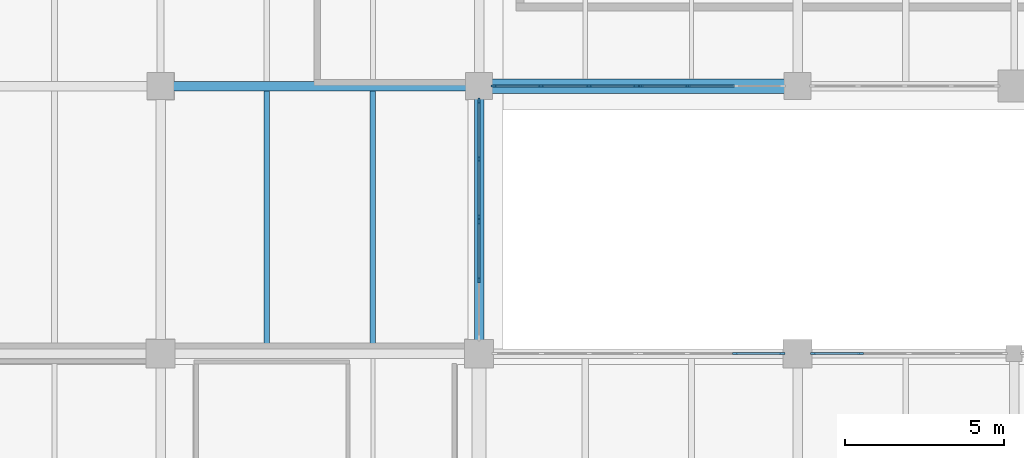
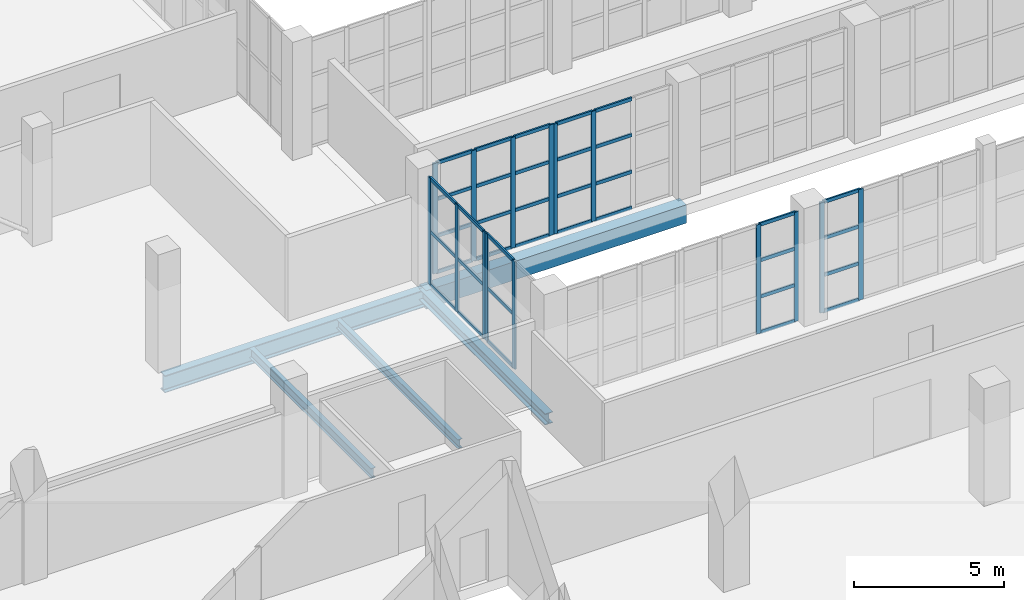
# One storey, part 44 of 121: 52 members, 5 beams, 6 elements without a shape of their own.
"""IFC4 building model written with IfcOpenShell, lengths in metres."""

from ifc_helpers import new_model, si_unit, direction, frame, origin, origin_2d, place, context, subcontext, project, spatial, rectangle, i_section, extrude, material, layer, layer_set, material_profile, profile_set, type_object, element, aggregate, save


model = new_model("IFC4")

# Units and contexts
model_context = context("Model", 3, precision=1e-05, world=origin(), true_north=direction((0.0, 1.0)))
body_context = subcontext(model_context, "Body", "Model", "MODEL_VIEW")
ifc_project = project(units=[si_unit("LENGTHUNIT", "METRE"), si_unit("AREAUNIT", "SQUARE_METRE"), si_unit("VOLUMEUNIT", "CUBIC_METRE"), si_unit("PLANEANGLEUNIT", "RADIAN"), si_unit("MASSUNIT", "GRAM", prefix="KILO")], contexts=[model_context])

# Site, building, storey
site_placement = place(None, origin())
site = spatial("IfcSite", under=ifc_project, at=site_placement, CompositionType="ELEMENT")
building_placement = place(site_placement, origin())
building = spatial("IfcBuilding", under=site, at=building_placement, Name="Zereglee Splitstone Museum", CompositionType="ELEMENT")
storey_placement = place(building_placement, origin())
storey = spatial("IfcBuildingStorey", under=building, at=storey_placement, Name="L00", CompositionType="ELEMENT", Elevation=0.0)

# Curtain wall, members
ifc_material_1 = material(Name="Triple-glazed low-E argon glass and bronze-anodised aluminium", Category="aluminium")
ifc_layer_1 = layer(ifc_material_1, 0.179931640625)
ifc_layer_set_1 = layer_set([ifc_layer_1], Name="Triple-glazed low-E argon glass and bronze-anodised aluminium")
curtain_wall_type_1 = type_object("IfcCurtainWallType", Name="CW-0608-450", PredefinedType="USERDEFINED", material=ifc_layer_set_1)
curtain_wall_1_placement = place(storey_placement, origin())
curtain_wall_1 = element("IfcCurtainWall", 1, at=curtain_wall_1_placement, inside=storey, type_object=curtain_wall_type_1, Name="Glazed Curtain Wall CW-0608-450 (L00)", ObjectType="GLAZED CURTAIN WALL", PredefinedType="USERDEFINED")
ifc_material_2 = material(Name="Thermally broken bronze-anodised aluminium", Category="aluminium")
ifc_material_profile_1 = material_profile(ifc_material_2, rectangle(XDim=0.06494140625, YDim=0.179931640625, at=origin_2d()), Name="CW MULL 65x180")
ifc_profile_set_1 = profile_set([ifc_material_profile_1], Name="Thermally broken bronze-anodised aluminium")
member_type_1 = type_object("IfcMemberType", Name="CWM-01", PredefinedType="MULLION", material=ifc_profile_set_1)
member_1_placement = place(storey_placement, frame((217.178955078125, 21.60009765625, 0.0), z_axis=(0.0, 0.0, 1.0), x_axis=(0.0, -1.0, 0.0)))
member_1 = element("IfcMember", 2, at=member_1_placement, type_object=member_type_1, Name="CW-0608-450 mullion 4", PredefinedType="MULLION", context=body_context, shape_type="SweptSolid", body=[
    extrude(rectangle(XDim=0.06494140625, YDim=0.179931640625, at=origin_2d()), origin(), (0.0, 0.0, 1.0), 4.5),
])
member_2_placement = place(storey_placement, frame((215.6904296875, 21.60009765625, 0.0), z_axis=(0.0, 0.0, 1.0), x_axis=(0.0, -1.0, 0.0)))
member_2 = element("IfcMember", 3, at=member_2_placement, type_object=member_type_1, Name="CW-0608-450 mullion 5", PredefinedType="MULLION", context=body_context, shape_type="SweptSolid", body=[
    extrude(rectangle(XDim=0.06494140625, YDim=0.179931640625, at=origin_2d()), origin(), (0.0, 0.0, 1.0), 4.5),
])

ifc_layer_2 = layer(ifc_material_1, 0.179931640625)
ifc_layer_set_2 = layer_set([ifc_layer_2], Name="Triple-glazed low-E argon glass and bronze-anodised aluminium")
curtain_wall_type_2 = type_object("IfcCurtainWallType", Name="CW-0450-444", PredefinedType="USERDEFINED", material=ifc_layer_set_2)
curtain_wall_2_placement = place(storey_placement, origin())
curtain_wall_2 = element("IfcCurtainWall", 4, at=curtain_wall_2_placement, inside=storey, type_object=curtain_wall_type_2, Name="Glazed Curtain Wall CW-0450-444 (L00)", ObjectType="GLAZED CURTAIN WALL", PredefinedType="USERDEFINED")
member_3_placement = place(storey_placement, frame((214.70947265625, 21.60009765625, 0.0), z_axis=(0.0, 0.0, 1.0), x_axis=(0.0, -1.0, 0.0)))
member_3 = element("IfcMember", 5, at=member_3_placement, type_object=member_type_1, Name="CW-0450-444 mullion 1", PredefinedType="MULLION", context=body_context, shape_type="SweptSolid", body=[
    extrude(rectangle(XDim=0.06494140625, YDim=0.179931640625, at=origin_2d()), origin(), (0.0, 0.0, 1.0), 4.43994140625),
])
member_4_placement = place(storey_placement, frame((213.241455078125, 21.60009765625, 0.0), z_axis=(0.0, 0.0, 1.0), x_axis=(0.0, -1.0, 0.0)))
member_4 = element("IfcMember", 6, at=member_4_placement, type_object=member_type_1, Name="CW-0450-444 mullion 2", PredefinedType="MULLION", context=body_context, shape_type="SweptSolid", body=[
    extrude(rectangle(XDim=0.06494140625, YDim=0.179931640625, at=origin_2d()), origin(), (0.0, 0.0, 1.0), 4.43994140625),
])

ifc_layer_3 = layer(ifc_material_1, 0.179931640625)
ifc_layer_set_3 = layer_set([ifc_layer_3], Name="Triple-glazed low-E argon glass and bronze-anodised aluminium")
curtain_wall_type_3 = type_object("IfcCurtainWallType", Name="CW-0371-438", PredefinedType="USERDEFINED", material=ifc_layer_set_3)
curtain_wall_3_placement = place(storey_placement, origin())
curtain_wall_3 = element("IfcCurtainWall", 7, at=curtain_wall_3_placement, inside=storey, type_object=curtain_wall_type_3, Name="Glazed Curtain Wall CW-0371-438 (L00)", ObjectType="GLAZED CURTAIN WALL", PredefinedType="USERDEFINED")
member_5_placement = place(storey_placement, frame((205.199951171875, 23.915283203125, 0.0), z_axis=(0.0, 0.0, 1.0), x_axis=(-1.0, 0.0, 0.0)))
member_5 = element("IfcMember", 8, at=member_5_placement, type_object=member_type_1, Name="CW-0371-438 mullion 2", PredefinedType="MULLION", context=body_context, shape_type="SweptSolid", body=[
    extrude(rectangle(XDim=0.06494140625, YDim=0.179931640625, at=origin_2d()), origin(), (0.0, 0.0, 1.0), 4.3798828125),
])
member_6_placement = place(storey_placement, frame((205.199951171875, 25.739990234375, 0.0), z_axis=(0.0, 0.0, 1.0), x_axis=(-1.0, 0.0, 0.0)))
member_6 = element("IfcMember", 9, at=member_6_placement, type_object=member_type_1, Name="CW-0371-438 mullion 3", PredefinedType="MULLION", context=body_context, shape_type="SweptSolid", body=[
    extrude(rectangle(XDim=0.06494140625, YDim=0.179931640625, at=origin_2d()), origin(), (0.0, 0.0, 1.0), 4.3798828125),
])

ifc_layer_4 = layer(ifc_material_1, 0.179931640625)
ifc_layer_set_4 = layer_set([ifc_layer_4], Name="Triple-glazed low-E argon glass and bronze-anodised aluminium")
curtain_wall_type_4 = type_object("IfcCurtainWallType", Name="CW-0371-436", PredefinedType="USERDEFINED", material=ifc_layer_set_4)
curtain_wall_4_placement = place(storey_placement, origin())
curtain_wall_4 = element("IfcCurtainWall", 10, at=curtain_wall_4_placement, inside=storey, type_object=curtain_wall_type_4, Name="Glazed Curtain Wall CW-0371-436 (L00)", ObjectType="GLAZED CURTAIN WALL", PredefinedType="USERDEFINED")
member_7_placement = place(storey_placement, frame((205.199951171875, 25.885009765625, 0.0), z_axis=(0.0, 0.0, 1.0), x_axis=(-1.0, 0.0, 0.0)))
member_7 = element("IfcMember", 11, at=member_7_placement, type_object=member_type_1, Name="CW-0371-436 mullion 1", PredefinedType="MULLION", context=body_context, shape_type="SweptSolid", body=[
    extrude(rectangle(XDim=0.06494140625, YDim=0.179931640625, at=origin_2d()), origin(), (0.0, 0.0, 1.0), 4.360107421875),
])
member_8_placement = place(storey_placement, frame((205.199951171875, 27.709716796875, 0.0), z_axis=(0.0, 0.0, 1.0), x_axis=(-1.0, 0.0, 0.0)))
member_8 = element("IfcMember", 12, at=member_8_placement, type_object=member_type_1, Name="CW-0371-436 mullion 2", PredefinedType="MULLION", context=body_context, shape_type="SweptSolid", body=[
    extrude(rectangle(XDim=0.06494140625, YDim=0.179931640625, at=origin_2d()), origin(), (0.0, 0.0, 1.0), 4.360107421875),
])
member_9_placement = place(storey_placement, frame((205.199951171875, 29.534423828125, 0.0), z_axis=(0.0, 0.0, 1.0), x_axis=(-1.0, 0.0, 0.0)))
member_9 = element("IfcMember", 13, at=member_9_placement, type_object=member_type_1, Name="CW-0371-436 mullion 3", PredefinedType="MULLION", context=body_context, shape_type="SweptSolid", body=[
    extrude(rectangle(XDim=0.06494140625, YDim=0.179931640625, at=origin_2d()), origin(), (0.0, 0.0, 1.0), 4.360107421875),
])

ifc_layer_5 = layer(ifc_material_1, 0.179931640625)
ifc_layer_set_5 = layer_set([ifc_layer_5], Name="Triple-glazed low-E argon glass and bronze-anodised aluminium")
curtain_wall_type_5 = type_object("IfcCurtainWallType", Name="CW-0453-450", PredefinedType="USERDEFINED", material=ifc_layer_set_5)
curtain_wall_5_placement = place(storey_placement, origin())
curtain_wall_5 = element("IfcCurtainWall", 14, at=curtain_wall_5_placement, inside=storey, type_object=curtain_wall_type_5, Name="Glazed Curtain Wall CW-0453-450 (L00)", ObjectType="GLAZED CURTAIN WALL", PredefinedType="USERDEFINED")
member_10_placement = place(storey_placement, frame((205.66552734375, 30.0, 0.0), z_axis=(0.0, 0.0, 1.0), x_axis=(0.0, 1.0, 0.0)))
member_10 = element("IfcMember", 15, at=member_10_placement, type_object=member_type_1, Name="CW-0453-450 mullion 1", PredefinedType="MULLION", context=body_context, shape_type="SweptSolid", body=[
    extrude(rectangle(XDim=0.06494140625, YDim=0.179931640625, at=origin_2d()), origin(), (0.0, 0.0, 1.0), 4.5),
])
member_11_placement = place(storey_placement, frame((207.14208984375, 30.0, 0.0), z_axis=(0.0, 0.0, 1.0), x_axis=(0.0, 1.0, 0.0)))
member_11 = element("IfcMember", 16, at=member_11_placement, type_object=member_type_1, Name="CW-0453-450 mullion 2", PredefinedType="MULLION", context=body_context, shape_type="SweptSolid", body=[
    extrude(rectangle(XDim=0.06494140625, YDim=0.179931640625, at=origin_2d()), origin(), (0.0, 0.0, 1.0), 4.5),
])
member_12_placement = place(storey_placement, frame((208.65087890625, 30.0, 0.0), z_axis=(0.0, 0.0, 1.0), x_axis=(0.0, 1.0, 0.0)))
member_12 = element("IfcMember", 17, at=member_12_placement, type_object=member_type_1, Name="CW-0453-450 mullion 3", PredefinedType="MULLION", context=body_context, shape_type="SweptSolid", body=[
    extrude(rectangle(XDim=0.06494140625, YDim=0.179931640625, at=origin_2d()), origin(), (0.0, 0.0, 1.0), 4.5),
])
member_13_placement = place(storey_placement, frame((210.12744140625, 30.0, 0.0), z_axis=(0.0, 0.0, 1.0), x_axis=(0.0, 1.0, 0.0)))
member_13 = element("IfcMember", 18, at=member_13_placement, type_object=member_type_1, Name="CW-0453-450 mullion 4", PredefinedType="MULLION", context=body_context, shape_type="SweptSolid", body=[
    extrude(rectangle(XDim=0.06494140625, YDim=0.179931640625, at=origin_2d()), origin(), (0.0, 0.0, 1.0), 4.5),
])

ifc_layer_6 = layer(ifc_material_1, 0.179931640625)
ifc_layer_set_6 = layer_set([ifc_layer_6], Name="Triple-glazed low-E argon glass and bronze-anodised aluminium")
curtain_wall_type_6 = type_object("IfcCurtainWallType", Name="CW-0453-448", PredefinedType="USERDEFINED", material=ifc_layer_set_6)
curtain_wall_6_placement = place(storey_placement, origin())
curtain_wall_6 = element("IfcCurtainWall", 19, at=curtain_wall_6_placement, inside=storey, type_object=curtain_wall_type_6, Name="Glazed Curtain Wall CW-0453-448 (L00)", ObjectType="GLAZED CURTAIN WALL", PredefinedType="USERDEFINED")
member_14_placement = place(storey_placement, frame((210.2724609375, 30.0, 0.0), z_axis=(0.0, 0.0, 1.0), x_axis=(0.0, 1.0, 0.0)))
member_14 = element("IfcMember", 20, at=member_14_placement, type_object=member_type_1, Name="CW-0453-448 mullion 1", PredefinedType="MULLION", context=body_context, shape_type="SweptSolid", body=[
    extrude(rectangle(XDim=0.06494140625, YDim=0.179931640625, at=origin_2d()), origin(), (0.0, 0.0, 1.0), 4.47998046875),
])
member_15_placement = place(storey_placement, frame((211.7490234375, 30.0, 0.0), z_axis=(0.0, 0.0, 1.0), x_axis=(0.0, 1.0, 0.0)))
member_15 = element("IfcMember", 21, at=member_15_placement, type_object=member_type_1, Name="CW-0453-448 mullion 2", PredefinedType="MULLION", context=body_context, shape_type="SweptSolid", body=[
    extrude(rectangle(XDim=0.06494140625, YDim=0.179931640625, at=origin_2d()), origin(), (0.0, 0.0, 1.0), 4.47998046875),
])

# Member
ifc_material_profile_2 = material_profile(ifc_material_2, rectangle(XDim=0.06494140625, YDim=0.139892578125, at=origin_2d()), Name="CW TRAN 65x140")
ifc_profile_set_2 = profile_set([ifc_material_profile_2], Name="Thermally broken bronze-anodised aluminium")
member_type_2 = type_object("IfcMemberType", Name="CWT-01", PredefinedType="USERDEFINED", material=ifc_profile_set_2)
member_16_placement = place(storey_placement, frame((217.146484375, 21.60009765625, 0.032470703125), z_axis=(-1.0, 0.0, 0.0), x_axis=(0.0, -1.0, 0.0)))
member_16 = element("IfcMember", 22, at=member_16_placement, type_object=member_type_2, Name="CW-0608-450 transom 4.1", ObjectType="TRANSOM", PredefinedType="USERDEFINED", context=body_context, shape_type="SweptSolid", body=[
    extrude(rectangle(XDim=0.06494140625, YDim=0.139892578125, at=origin_2d()), origin(), (0.0, 0.0, 1.0), 1.423583984375),
])

member_17_placement = place(storey_placement, frame((217.146484375, 21.60009765625, 1.5), z_axis=(-1.0, 0.0, 0.0), x_axis=(0.0, -1.0, 0.0)))
member_17 = element("IfcMember", 23, at=member_17_placement, type_object=member_type_2, Name="CW-0608-450 transom 4.2", ObjectType="TRANSOM", PredefinedType="USERDEFINED", context=body_context, shape_type="SweptSolid", body=[
    extrude(rectangle(XDim=0.06494140625, YDim=0.139892578125, at=origin_2d()), origin(), (0.0, 0.0, 1.0), 1.423583984375),
])

member_18_placement = place(storey_placement, frame((217.146484375, 21.60009765625, 3.0), z_axis=(-1.0, 0.0, 0.0), x_axis=(0.0, -1.0, 0.0)))
member_18 = element("IfcMember", 24, at=member_18_placement, type_object=member_type_2, Name="CW-0608-450 transom 4.3", ObjectType="TRANSOM", PredefinedType="USERDEFINED", context=body_context, shape_type="SweptSolid", body=[
    extrude(rectangle(XDim=0.06494140625, YDim=0.139892578125, at=origin_2d()), origin(), (0.0, 0.0, 1.0), 1.423583984375),
])

member_19_placement = place(storey_placement, frame((217.146484375, 21.60009765625, 4.467529296875), z_axis=(-1.0, 0.0, 0.0), x_axis=(0.0, -1.0, 0.0)))
member_19 = element("IfcMember", 25, at=member_19_placement, type_object=member_type_2, Name="CW-0608-450 transom 4.4", ObjectType="TRANSOM", PredefinedType="USERDEFINED", context=body_context, shape_type="SweptSolid", body=[
    extrude(rectangle(XDim=0.06494140625, YDim=0.139892578125, at=origin_2d()), origin(), (0.0, 0.0, 1.0), 1.423583984375),
])

aggregate(curtain_wall_1, [member_1, member_2, member_16, member_17, member_18, member_19])

member_20_placement = place(storey_placement, frame((214.677001953125, 21.60009765625, 0.032470703125), z_axis=(-1.0, 0.0, 0.0), x_axis=(0.0, -1.0, 0.0)))
member_20 = element("IfcMember", 26, at=member_20_placement, type_object=member_type_2, Name="CW-0450-444 transom 1.1", ObjectType="TRANSOM", PredefinedType="USERDEFINED", context=body_context, shape_type="SweptSolid", body=[
    extrude(rectangle(XDim=0.06494140625, YDim=0.139892578125, at=origin_2d()), origin(), (0.0, 0.0, 1.0), 1.403076171875),
])

member_21_placement = place(storey_placement, frame((214.677001953125, 21.60009765625, 1.47998046875), z_axis=(-1.0, 0.0, 0.0), x_axis=(0.0, -1.0, 0.0)))
member_21 = element("IfcMember", 27, at=member_21_placement, type_object=member_type_2, Name="CW-0450-444 transom 1.2", ObjectType="TRANSOM", PredefinedType="USERDEFINED", context=body_context, shape_type="SweptSolid", body=[
    extrude(rectangle(XDim=0.06494140625, YDim=0.139892578125, at=origin_2d()), origin(), (0.0, 0.0, 1.0), 1.403076171875),
])

member_22_placement = place(storey_placement, frame((214.677001953125, 21.60009765625, 2.9599609375), z_axis=(-1.0, 0.0, 0.0), x_axis=(0.0, -1.0, 0.0)))
member_22 = element("IfcMember", 28, at=member_22_placement, type_object=member_type_2, Name="CW-0450-444 transom 1.3", ObjectType="TRANSOM", PredefinedType="USERDEFINED", context=body_context, shape_type="SweptSolid", body=[
    extrude(rectangle(XDim=0.06494140625, YDim=0.139892578125, at=origin_2d()), origin(), (0.0, 0.0, 1.0), 1.403076171875),
])

member_23_placement = place(storey_placement, frame((214.677001953125, 21.60009765625, 4.407470703125), z_axis=(-1.0, 0.0, 0.0), x_axis=(0.0, -1.0, 0.0)))
member_23 = element("IfcMember", 29, at=member_23_placement, type_object=member_type_2, Name="CW-0450-444 transom 1.4", ObjectType="TRANSOM", PredefinedType="USERDEFINED", context=body_context, shape_type="SweptSolid", body=[
    extrude(rectangle(XDim=0.06494140625, YDim=0.139892578125, at=origin_2d()), origin(), (0.0, 0.0, 1.0), 1.403076171875),
])

aggregate(curtain_wall_2, [member_3, member_4, member_20, member_21, member_22, member_23])

member_24_placement = place(storey_placement, frame((205.199951171875, 23.94775390625, 0.032470703125), z_axis=(0.0, 1.0, 0.0), x_axis=(-1.0, 0.0, 0.0)))
member_24 = element("IfcMember", 30, at=member_24_placement, type_object=member_type_2, Name="CW-0371-438 transom 2.1", ObjectType="TRANSOM", PredefinedType="USERDEFINED", context=body_context, shape_type="SweptSolid", body=[
    extrude(rectangle(XDim=0.06494140625, YDim=0.139892578125, at=origin_2d()), origin(), (0.0, 0.0, 1.0), 1.759765625),
])

member_25_placement = place(storey_placement, frame((205.199951171875, 23.94775390625, 2.18994140625), z_axis=(0.0, 1.0, 0.0), x_axis=(-1.0, 0.0, 0.0)))
member_25 = element("IfcMember", 31, at=member_25_placement, type_object=member_type_2, Name="CW-0371-438 transom 2.2", ObjectType="TRANSOM", PredefinedType="USERDEFINED", context=body_context, shape_type="SweptSolid", body=[
    extrude(rectangle(XDim=0.06494140625, YDim=0.139892578125, at=origin_2d()), origin(), (0.0, 0.0, 1.0), 1.759765625),
])

member_26_placement = place(storey_placement, frame((205.199951171875, 23.94775390625, 4.347412109375), z_axis=(0.0, 1.0, 0.0), x_axis=(-1.0, 0.0, 0.0)))
member_26 = element("IfcMember", 32, at=member_26_placement, type_object=member_type_2, Name="CW-0371-438 transom 2.3", ObjectType="TRANSOM", PredefinedType="USERDEFINED", context=body_context, shape_type="SweptSolid", body=[
    extrude(rectangle(XDim=0.06494140625, YDim=0.139892578125, at=origin_2d()), origin(), (0.0, 0.0, 1.0), 1.759765625),
])

aggregate(curtain_wall_3, [member_5, member_6, member_24, member_25, member_26])

member_27_placement = place(storey_placement, frame((205.199951171875, 25.91748046875, 0.032470703125), z_axis=(0.0, 1.0, 0.0), x_axis=(-1.0, 0.0, 0.0)))
member_27 = element("IfcMember", 33, at=member_27_placement, type_object=member_type_2, Name="CW-0371-436 transom 1.1", ObjectType="TRANSOM", PredefinedType="USERDEFINED", context=body_context, shape_type="SweptSolid", body=[
    extrude(rectangle(XDim=0.06494140625, YDim=0.139892578125, at=origin_2d()), origin(), (0.0, 0.0, 1.0), 1.759765625),
])

member_28_placement = place(storey_placement, frame((205.199951171875, 25.91748046875, 2.179931640625), z_axis=(0.0, 1.0, 0.0), x_axis=(-1.0, 0.0, 0.0)))
member_28 = element("IfcMember", 34, at=member_28_placement, type_object=member_type_2, Name="CW-0371-436 transom 1.2", ObjectType="TRANSOM", PredefinedType="USERDEFINED", context=body_context, shape_type="SweptSolid", body=[
    extrude(rectangle(XDim=0.06494140625, YDim=0.139892578125, at=origin_2d()), origin(), (0.0, 0.0, 1.0), 1.759765625),
])

member_29_placement = place(storey_placement, frame((205.199951171875, 25.91748046875, 4.327392578125), z_axis=(0.0, 1.0, 0.0), x_axis=(-1.0, 0.0, 0.0)))
member_29 = element("IfcMember", 35, at=member_29_placement, type_object=member_type_2, Name="CW-0371-436 transom 1.3", ObjectType="TRANSOM", PredefinedType="USERDEFINED", context=body_context, shape_type="SweptSolid", body=[
    extrude(rectangle(XDim=0.06494140625, YDim=0.139892578125, at=origin_2d()), origin(), (0.0, 0.0, 1.0), 1.759765625),
])

member_30_placement = place(storey_placement, frame((205.199951171875, 27.7421875, 0.032470703125), z_axis=(0.0, 1.0, 0.0), x_axis=(-1.0, 0.0, 0.0)))
member_30 = element("IfcMember", 36, at=member_30_placement, type_object=member_type_2, Name="CW-0371-436 transom 2.1", ObjectType="TRANSOM", PredefinedType="USERDEFINED", context=body_context, shape_type="SweptSolid", body=[
    extrude(rectangle(XDim=0.06494140625, YDim=0.139892578125, at=origin_2d()), origin(), (0.0, 0.0, 1.0), 1.759765625),
])

member_31_placement = place(storey_placement, frame((205.199951171875, 27.7421875, 2.179931640625), z_axis=(0.0, 1.0, 0.0), x_axis=(-1.0, 0.0, 0.0)))
member_31 = element("IfcMember", 37, at=member_31_placement, type_object=member_type_2, Name="CW-0371-436 transom 2.2", ObjectType="TRANSOM", PredefinedType="USERDEFINED", context=body_context, shape_type="SweptSolid", body=[
    extrude(rectangle(XDim=0.06494140625, YDim=0.139892578125, at=origin_2d()), origin(), (0.0, 0.0, 1.0), 1.759765625),
])

member_32_placement = place(storey_placement, frame((205.199951171875, 27.7421875, 4.327392578125), z_axis=(0.0, 1.0, 0.0), x_axis=(-1.0, 0.0, 0.0)))
member_32 = element("IfcMember", 38, at=member_32_placement, type_object=member_type_2, Name="CW-0371-436 transom 2.3", ObjectType="TRANSOM", PredefinedType="USERDEFINED", context=body_context, shape_type="SweptSolid", body=[
    extrude(rectangle(XDim=0.06494140625, YDim=0.139892578125, at=origin_2d()), origin(), (0.0, 0.0, 1.0), 1.759765625),
])

aggregate(curtain_wall_4, [member_7, member_8, member_9, member_27, member_28, member_29, member_30, member_31, member_32])

member_33_placement = place(storey_placement, frame((205.697998046875, 30.0, 0.032470703125), z_axis=(1.0, 0.0, 0.0), x_axis=(0.0, 1.0, 0.0)))
member_33 = element("IfcMember", 39, at=member_33_placement, type_object=member_type_2, Name="CW-0453-450 transom 1.1", ObjectType="TRANSOM", PredefinedType="USERDEFINED", context=body_context, shape_type="SweptSolid", body=[
    extrude(rectangle(XDim=0.06494140625, YDim=0.139892578125, at=origin_2d()), origin(), (0.0, 0.0, 1.0), 1.41162109375),
])

member_34_placement = place(storey_placement, frame((205.697998046875, 30.0, 1.5), z_axis=(1.0, 0.0, 0.0), x_axis=(0.0, 1.0, 0.0)))
member_34 = element("IfcMember", 40, at=member_34_placement, type_object=member_type_2, Name="CW-0453-450 transom 1.2", ObjectType="TRANSOM", PredefinedType="USERDEFINED", context=body_context, shape_type="SweptSolid", body=[
    extrude(rectangle(XDim=0.06494140625, YDim=0.139892578125, at=origin_2d()), origin(), (0.0, 0.0, 1.0), 1.41162109375),
])

member_35_placement = place(storey_placement, frame((205.697998046875, 30.0, 3.0), z_axis=(1.0, 0.0, 0.0), x_axis=(0.0, 1.0, 0.0)))
member_35 = element("IfcMember", 41, at=member_35_placement, type_object=member_type_2, Name="CW-0453-450 transom 1.3", ObjectType="TRANSOM", PredefinedType="USERDEFINED", context=body_context, shape_type="SweptSolid", body=[
    extrude(rectangle(XDim=0.06494140625, YDim=0.139892578125, at=origin_2d()), origin(), (0.0, 0.0, 1.0), 1.41162109375),
])

member_36_placement = place(storey_placement, frame((205.697998046875, 30.0, 4.467529296875), z_axis=(1.0, 0.0, 0.0), x_axis=(0.0, 1.0, 0.0)))
member_36 = element("IfcMember", 42, at=member_36_placement, type_object=member_type_2, Name="CW-0453-450 transom 1.4", ObjectType="TRANSOM", PredefinedType="USERDEFINED", context=body_context, shape_type="SweptSolid", body=[
    extrude(rectangle(XDim=0.06494140625, YDim=0.139892578125, at=origin_2d()), origin(), (0.0, 0.0, 1.0), 1.41162109375),
])

member_37_placement = place(storey_placement, frame((207.174560546875, 30.0, 0.032470703125), z_axis=(1.0, 0.0, 0.0), x_axis=(0.0, 1.0, 0.0)))
member_37 = element("IfcMember", 43, at=member_37_placement, type_object=member_type_2, Name="CW-0453-450 transom 2.1", ObjectType="TRANSOM", PredefinedType="USERDEFINED", context=body_context, shape_type="SweptSolid", body=[
    extrude(rectangle(XDim=0.06494140625, YDim=0.139892578125, at=origin_2d()), origin(), (0.0, 0.0, 1.0), 1.44384765625),
])

member_38_placement = place(storey_placement, frame((207.174560546875, 30.0, 1.5), z_axis=(1.0, 0.0, 0.0), x_axis=(0.0, 1.0, 0.0)))
member_38 = element("IfcMember", 44, at=member_38_placement, type_object=member_type_2, Name="CW-0453-450 transom 2.2", ObjectType="TRANSOM", PredefinedType="USERDEFINED", context=body_context, shape_type="SweptSolid", body=[
    extrude(rectangle(XDim=0.06494140625, YDim=0.139892578125, at=origin_2d()), origin(), (0.0, 0.0, 1.0), 1.44384765625),
])

member_39_placement = place(storey_placement, frame((207.174560546875, 30.0, 3.0), z_axis=(1.0, 0.0, 0.0), x_axis=(0.0, 1.0, 0.0)))
member_39 = element("IfcMember", 45, at=member_39_placement, type_object=member_type_2, Name="CW-0453-450 transom 2.3", ObjectType="TRANSOM", PredefinedType="USERDEFINED", context=body_context, shape_type="SweptSolid", body=[
    extrude(rectangle(XDim=0.06494140625, YDim=0.139892578125, at=origin_2d()), origin(), (0.0, 0.0, 1.0), 1.44384765625),
])

member_40_placement = place(storey_placement, frame((207.174560546875, 30.0, 4.467529296875), z_axis=(1.0, 0.0, 0.0), x_axis=(0.0, 1.0, 0.0)))
member_40 = element("IfcMember", 46, at=member_40_placement, type_object=member_type_2, Name="CW-0453-450 transom 2.4", ObjectType="TRANSOM", PredefinedType="USERDEFINED", context=body_context, shape_type="SweptSolid", body=[
    extrude(rectangle(XDim=0.06494140625, YDim=0.139892578125, at=origin_2d()), origin(), (0.0, 0.0, 1.0), 1.44384765625),
])

member_41_placement = place(storey_placement, frame((208.68359375, 30.0, 0.032470703125), z_axis=(1.0, 0.0, 0.0), x_axis=(0.0, 1.0, 0.0)))
member_41 = element("IfcMember", 47, at=member_41_placement, type_object=member_type_2, Name="CW-0453-450 transom 3.1", ObjectType="TRANSOM", PredefinedType="USERDEFINED", context=body_context, shape_type="SweptSolid", body=[
    extrude(rectangle(XDim=0.06494140625, YDim=0.139892578125, at=origin_2d()), origin(), (0.0, 0.0, 1.0), 1.411376953125),
])

member_42_placement = place(storey_placement, frame((208.68359375, 30.0, 1.5), z_axis=(1.0, 0.0, 0.0), x_axis=(0.0, 1.0, 0.0)))
member_42 = element("IfcMember", 48, at=member_42_placement, type_object=member_type_2, Name="CW-0453-450 transom 3.2", ObjectType="TRANSOM", PredefinedType="USERDEFINED", context=body_context, shape_type="SweptSolid", body=[
    extrude(rectangle(XDim=0.06494140625, YDim=0.139892578125, at=origin_2d()), origin(), (0.0, 0.0, 1.0), 1.411376953125),
])

member_43_placement = place(storey_placement, frame((208.68359375, 30.0, 3.0), z_axis=(1.0, 0.0, 0.0), x_axis=(0.0, 1.0, 0.0)))
member_43 = element("IfcMember", 49, at=member_43_placement, type_object=member_type_2, Name="CW-0453-450 transom 3.3", ObjectType="TRANSOM", PredefinedType="USERDEFINED", context=body_context, shape_type="SweptSolid", body=[
    extrude(rectangle(XDim=0.06494140625, YDim=0.139892578125, at=origin_2d()), origin(), (0.0, 0.0, 1.0), 1.411376953125),
])

member_44_placement = place(storey_placement, frame((208.68359375, 30.0, 4.467529296875), z_axis=(1.0, 0.0, 0.0), x_axis=(0.0, 1.0, 0.0)))
member_44 = element("IfcMember", 50, at=member_44_placement, type_object=member_type_2, Name="CW-0453-450 transom 3.4", ObjectType="TRANSOM", PredefinedType="USERDEFINED", context=body_context, shape_type="SweptSolid", body=[
    extrude(rectangle(XDim=0.06494140625, YDim=0.139892578125, at=origin_2d()), origin(), (0.0, 0.0, 1.0), 1.411376953125),
])

aggregate(curtain_wall_5, [member_10, member_11, member_12, member_13, member_33, member_34, member_35, member_36, member_37, member_38, member_39, member_40, member_41, member_42, member_43, member_44])

member_45_placement = place(storey_placement, frame((210.304931640625, 30.0, 0.032470703125), z_axis=(1.0, 0.0, 0.0), x_axis=(0.0, 1.0, 0.0)))
member_45 = element("IfcMember", 51, at=member_45_placement, type_object=member_type_2, Name="CW-0453-448 transom 1.1", ObjectType="TRANSOM", PredefinedType="USERDEFINED", context=body_context, shape_type="SweptSolid", body=[
    extrude(rectangle(XDim=0.06494140625, YDim=0.139892578125, at=origin_2d()), origin(), (0.0, 0.0, 1.0), 1.41162109375),
])

member_46_placement = place(storey_placement, frame((210.304931640625, 30.0, 1.493408203125), z_axis=(1.0, 0.0, 0.0), x_axis=(0.0, 1.0, 0.0)))
member_46 = element("IfcMember", 52, at=member_46_placement, type_object=member_type_2, Name="CW-0453-448 transom 1.2", ObjectType="TRANSOM", PredefinedType="USERDEFINED", context=body_context, shape_type="SweptSolid", body=[
    extrude(rectangle(XDim=0.06494140625, YDim=0.139892578125, at=origin_2d()), origin(), (0.0, 0.0, 1.0), 1.41162109375),
])

member_47_placement = place(storey_placement, frame((210.304931640625, 30.0, 2.98681640625), z_axis=(1.0, 0.0, 0.0), x_axis=(0.0, 1.0, 0.0)))
member_47 = element("IfcMember", 53, at=member_47_placement, type_object=member_type_2, Name="CW-0453-448 transom 1.3", ObjectType="TRANSOM", PredefinedType="USERDEFINED", context=body_context, shape_type="SweptSolid", body=[
    extrude(rectangle(XDim=0.06494140625, YDim=0.139892578125, at=origin_2d()), origin(), (0.0, 0.0, 1.0), 1.41162109375),
])

member_48_placement = place(storey_placement, frame((210.304931640625, 30.0, 4.447509765625), z_axis=(1.0, 0.0, 0.0), x_axis=(0.0, 1.0, 0.0)))
member_48 = element("IfcMember", 54, at=member_48_placement, type_object=member_type_2, Name="CW-0453-448 transom 1.4", ObjectType="TRANSOM", PredefinedType="USERDEFINED", context=body_context, shape_type="SweptSolid", body=[
    extrude(rectangle(XDim=0.06494140625, YDim=0.139892578125, at=origin_2d()), origin(), (0.0, 0.0, 1.0), 1.41162109375),
])

member_49_placement = place(storey_placement, frame((211.781494140625, 30.0, 0.032470703125), z_axis=(1.0, 0.0, 0.0), x_axis=(0.0, 1.0, 0.0)))
member_49 = element("IfcMember", 55, at=member_49_placement, type_object=member_type_2, Name="CW-0453-448 transom 2.1", ObjectType="TRANSOM", PredefinedType="USERDEFINED", context=body_context, shape_type="SweptSolid", body=[
    extrude(rectangle(XDim=0.06494140625, YDim=0.139892578125, at=origin_2d()), origin(), (0.0, 0.0, 1.0), 1.444091796875),
])

member_50_placement = place(storey_placement, frame((211.781494140625, 30.0, 1.493408203125), z_axis=(1.0, 0.0, 0.0), x_axis=(0.0, 1.0, 0.0)))
member_50 = element("IfcMember", 56, at=member_50_placement, type_object=member_type_2, Name="CW-0453-448 transom 2.2", ObjectType="TRANSOM", PredefinedType="USERDEFINED", context=body_context, shape_type="SweptSolid", body=[
    extrude(rectangle(XDim=0.06494140625, YDim=0.139892578125, at=origin_2d()), origin(), (0.0, 0.0, 1.0), 1.444091796875),
])

member_51_placement = place(storey_placement, frame((211.781494140625, 30.0, 2.98681640625), z_axis=(1.0, 0.0, 0.0), x_axis=(0.0, 1.0, 0.0)))
member_51 = element("IfcMember", 57, at=member_51_placement, type_object=member_type_2, Name="CW-0453-448 transom 2.3", ObjectType="TRANSOM", PredefinedType="USERDEFINED", context=body_context, shape_type="SweptSolid", body=[
    extrude(rectangle(XDim=0.06494140625, YDim=0.139892578125, at=origin_2d()), origin(), (0.0, 0.0, 1.0), 1.444091796875),
])

member_52_placement = place(storey_placement, frame((211.781494140625, 30.0, 4.447509765625), z_axis=(1.0, 0.0, 0.0), x_axis=(0.0, 1.0, 0.0)))
member_52 = element("IfcMember", 58, at=member_52_placement, type_object=member_type_2, Name="CW-0453-448 transom 2.4", ObjectType="TRANSOM", PredefinedType="USERDEFINED", context=body_context, shape_type="SweptSolid", body=[
    extrude(rectangle(XDim=0.06494140625, YDim=0.139892578125, at=origin_2d()), origin(), (0.0, 0.0, 1.0), 1.444091796875),
])

aggregate(curtain_wall_6, [member_14, member_15, member_45, member_46, member_47, member_48, member_49, member_50, member_51, member_52])

# Beams
ifc_material_3 = material(Name="Steel S355J2", Category="steel")
ifc_material_profile_3 = material_profile(ifc_material_3, i_section(OverallWidth=0.300048828125, OverallDepth=0.699951171875, WebThickness=0.01708984375, FlangeThickness=0.031982421875, FilletRadius=0.027099609375, at=origin_2d()), Name="HE 700 B")
ifc_profile_set_3 = profile_set([ifc_material_profile_3], Name="Steel S355J2")
beam_type_1 = type_object("IfcBeamType", Name="BG-08", PredefinedType="BEAM", material=ifc_profile_set_3)
beam_1_placement = place(storey_placement, frame((195.199951171875, 30.0, -0.77001953125), z_axis=(1.0, 0.0, 0.0), x_axis=(0.0, 1.0, 0.0)))
element("IfcBeam", 59, at=beam_1_placement, inside=storey, type_object=beam_type_1, Name="Primary Girder L00 D (195.2-205.2)", PredefinedType="BEAM", context=body_context, shape_type="SweptSolid", body=[
    extrude(i_section(OverallWidth=0.300048828125, OverallDepth=0.699951171875, WebThickness=0.01708984375, FlangeThickness=0.031982421875, FilletRadius=0.027099609375, at=origin_2d()), origin(), (0.0, 0.0, 1.0), 10.0),
])
ifc_material_profile_4 = material_profile(ifc_material_3, i_section(OverallWidth=0.169921875, OverallDepth=0.360107421875, WebThickness=0.008056640625, FlangeThickness=0.0126953125, FilletRadius=0.01806640625, at=origin_2d()), Name="IPE 360")
ifc_profile_set_4 = profile_set([ifc_material_profile_4], Name="Steel S355J2")
beam_type_2 = type_object("IfcBeamType", Name="BJ-04", PredefinedType="JOIST", material=ifc_profile_set_4)
beam_2_placement = place(storey_placement, frame((201.86669921875, 21.75, -0.60009765625), z_axis=(0.0, 1.0, 0.0), x_axis=(-1.0, 0.0, 0.0)))
element("IfcBeam", 60, at=beam_2_placement, inside=storey, type_object=beam_type_2, Name="Secondary Floor Joist L00-0332", PredefinedType="JOIST", context=body_context, shape_type="SweptSolid", body=[
    extrude(i_section(OverallWidth=0.169921875, OverallDepth=0.360107421875, WebThickness=0.008056640625, FlangeThickness=0.0126953125, FilletRadius=0.01806640625, at=origin_2d()), origin(), (0.0, 0.0, 1.0), 8.10009765625),
])
ifc_material_profile_5 = material_profile(ifc_material_3, i_section(OverallWidth=0.179931640625, OverallDepth=0.39990234375, WebThickness=0.008544921875, FlangeThickness=0.013427734375, FilletRadius=0.02099609375, at=origin_2d()), Name="IPE 400")
ifc_profile_set_5 = profile_set([ifc_material_profile_5], Name="Steel S355J2")
beam_type_3 = type_object("IfcBeamType", Name="BJ-03", PredefinedType="JOIST", material=ifc_profile_set_5)
beam_3_placement = place(storey_placement, frame((198.533203125, 21.75, -0.6201171875), z_axis=(0.0, 1.0, 0.0), x_axis=(-1.0, 0.0, 0.0)))
element("IfcBeam", 61, at=beam_3_placement, inside=storey, type_object=beam_type_3, Name="Secondary Floor Joist L00-0331", PredefinedType="JOIST", context=body_context, shape_type="SweptSolid", body=[
    extrude(i_section(OverallWidth=0.179931640625, OverallDepth=0.39990234375, WebThickness=0.008544921875, FlangeThickness=0.013427734375, FilletRadius=0.02099609375, at=origin_2d()), origin(), (0.0, 0.0, 1.0), 8.10009765625),
])
ifc_material_profile_6 = material_profile(ifc_material_3, i_section(OverallWidth=0.300048828125, OverallDepth=0.449951171875, WebThickness=0.013916015625, FlangeThickness=0.02587890625, FilletRadius=0.027099609375, at=origin_2d()), Name="HE 450 B")
ifc_profile_set_6 = profile_set([ifc_material_profile_6], Name="Steel S355J2")
beam_type_4 = type_object("IfcBeamType", Name="SP-02", PredefinedType="SPANDREL", material=ifc_profile_set_6)
beam_4_placement = place(storey_placement, frame((205.199951171875, 21.60009765625, -0.64501953125), z_axis=(0.0, 1.0, 0.0), x_axis=(-1.0, 0.0, 0.0)))
element("IfcBeam", 62, at=beam_4_placement, inside=storey, type_object=beam_type_4, Name="Primary Girder L00 23 (21.6-30.0)", PredefinedType="SPANDREL", context=body_context, shape_type="SweptSolid", body=[
    extrude(i_section(OverallWidth=0.300048828125, OverallDepth=0.449951171875, WebThickness=0.013916015625, FlangeThickness=0.02587890625, FilletRadius=0.027099609375, at=origin_2d()), origin(), (0.0, 0.0, 1.0), 8.39990234375),
])
ifc_material_4 = material(Name="Concrete C40/50", Category="concrete")
ifc_material_profile_7 = material_profile(ifc_material_4, rectangle(XDim=0.449951171875, YDim=0.75, at=origin_2d()), Name="RC 450x750")
ifc_profile_set_7 = profile_set([ifc_material_profile_7], Name="Concrete C40/50")
beam_type_5 = type_object("IfcBeamType", Name="SP-01", PredefinedType="SPANDREL", material=ifc_profile_set_7)
beam_5_placement = place(storey_placement, frame((205.199951171875, 30.0, -0.794921875), z_axis=(1.0, 0.0, 0.0), x_axis=(0.0, 1.0, 0.0)))
element("IfcBeam", 63, at=beam_5_placement, inside=storey, type_object=beam_type_5, Name="Primary Girder L00 D (205.2-215.2)", PredefinedType="SPANDREL", context=body_context, shape_type="SweptSolid", body=[
    extrude(rectangle(XDim=0.449951171875, YDim=0.75, at=origin_2d()), origin(), (0.0, 0.0, 1.0), 10.0),
])

save(model, "model.ifc")
